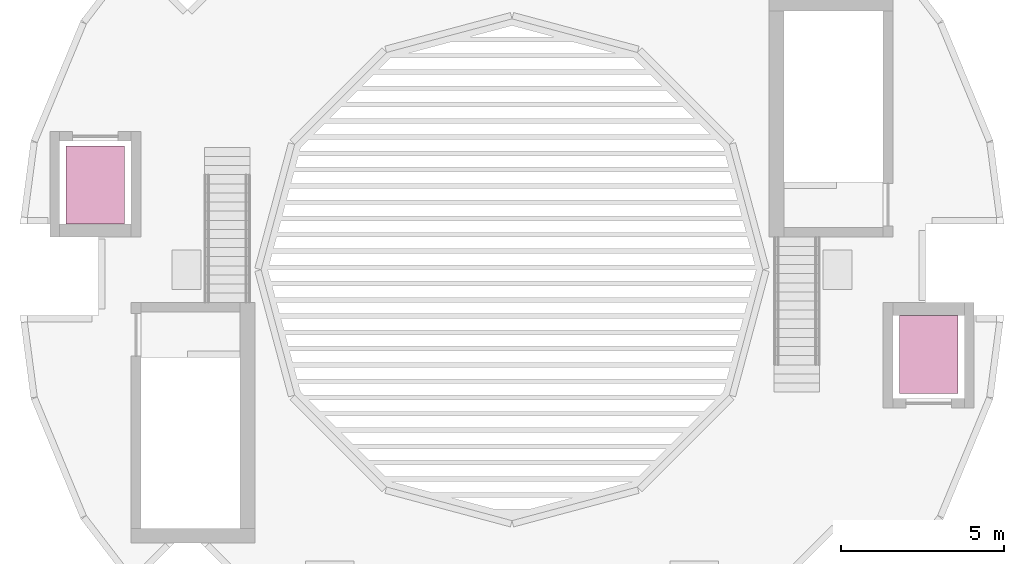
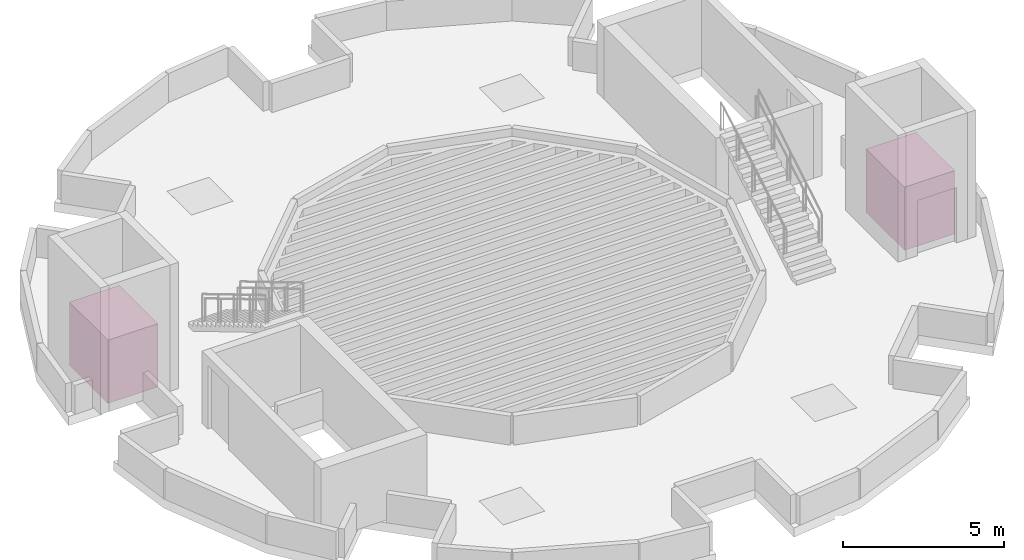
# One storey, part 4 of 4: 2 transport elements.
"""IFC4 building model written with IfcOpenShell, lengths in metres."""

from ifc_helpers import new_model, si_unit, direction, frame, origin, origin_2d, place, context, subcontext, project, spatial, rectangle, extrude, material, type_object, element, save


model = new_model("IFC4")

# Units and contexts
model_context = context("Model", 3, precision=1e-05, world=origin(), true_north=direction((0.0, 1.0)))
body_context = subcontext(model_context, "Body", "Model", "MODEL_VIEW")
ifc_project = project(units=[si_unit("LENGTHUNIT", "METRE"), si_unit("AREAUNIT", "SQUARE_METRE"), si_unit("VOLUMEUNIT", "CUBIC_METRE"), si_unit("PLANEANGLEUNIT", "RADIAN"), si_unit("MASSUNIT", "GRAM", prefix="KILO")], contexts=[model_context])

# Site, building, storey
site_placement = place(None, origin())
site = spatial("IfcSite", under=ifc_project, at=site_placement, CompositionType="ELEMENT")
building_placement = place(site_placement, origin())
building = spatial("IfcBuilding", under=site, at=building_placement, Name="Torre Brocal", CompositionType="ELEMENT")
storey_placement = place(building_placement, frame((0.0, 0.0, 337.60009765625)))
storey = spatial("IfcBuildingStorey", under=building, at=storey_placement, Name="RF", CompositionType="ELEMENT", Elevation=337.60009765625)

# Transport elements
ifc_material = material(Name="Stainless steel AISI 316", Category="steel")
transport_element_type = type_object("IfcTransportElementType", Name="SERVICE LIFT", PredefinedType="ELEVATOR", material=ifc_material)
for number, where, z_axis, x_axis, name in (
    (1, (92.800048828125, 72.39990234375, 0.0), (0.0, 0.0, 1.0), (1.0, 0.0, 0.0), "SERVICE LIFT E-SV"),
    (2, (67.199951171875, 77.60009765625, 0.0), (0.0, 0.0, 1.0), (1.0, 0.0, 0.0), "SERVICE LIFT W-SV"),
):
    element("IfcTransportElement", number, at=place(storey_placement, frame(where, z_axis=z_axis, x_axis=x_axis)), inside=storey, type_object=transport_element_type, Name=name, PredefinedType="ELEVATOR", context=body_context, shape_type="SweptSolid", body=[
        extrude(rectangle(XDim=1.800048828125, YDim=2.39990234375, at=origin_2d()), origin(), (0.0, 0.0, 1.0), 2.39990234375),
    ])

save(model, "model.ifc")
